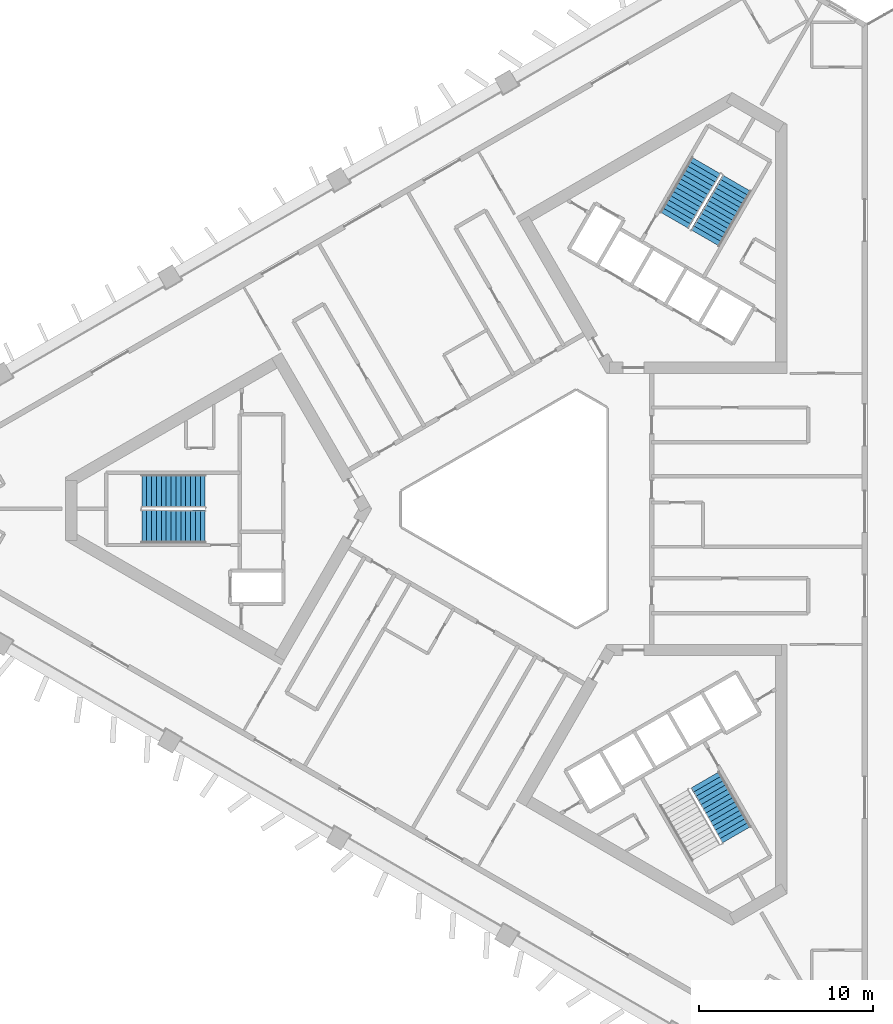
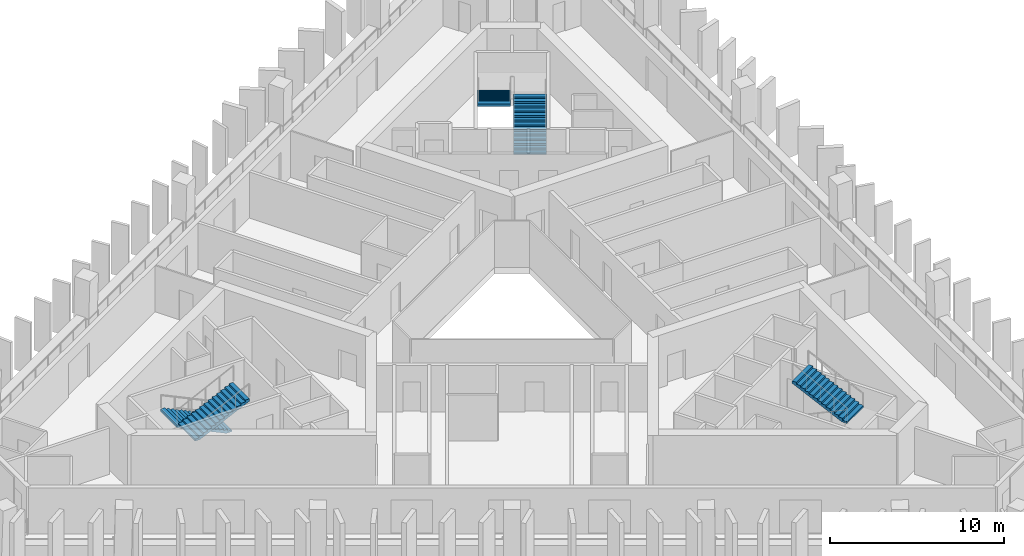
# One storey, part 7 of 10: 5 stair flights, 3 elements without a shape of their own.
"""IFC4 building model written with IfcOpenShell, lengths in metres."""

import ifcopenshell
import ifcopenshell.guid

model = None  # the IFC model being written
_history = None  # IfcOwnerHistory: only IFC2X3 demands one
_inside = {}  # id of a spatial element -> (the spatial element, [elements in it])
_under = {}  # id of a project, library or spatial element -> (it, [spatial elements below it])
_declared = {}  # id of a project -> (the project, [libraries it declares])
_typed = {}  # id of a type object -> (the type object, [elements of that type])
_made_of = {}  # id of a material, layer set ... -> (it, [elements and type objects made of it])


def new_model(schema):
    """Start an empty IFC model of exactly this schema.

    Asked for "IFC4X3", IfcOpenShell would pick the latest addendum, in which some entities
    have other attributes; the version numbers below select the first issue.
    IFC2X3 requires an IfcOwnerHistory on every rooted entity: one is made here for all.
    """
    global model, _history
    if schema == "IFC4X3":
        model = ifcopenshell.file(schema_version=(4, 3, 0, 0))
    else:
        model = ifcopenshell.file(schema=schema)
    _inside.clear()
    _under.clear()
    _declared.clear()
    _typed.clear()
    _made_of.clear()
    _history = None
    if model.schema == "IFC2X3":
        org = make("IfcOrganization", Name="unknown")
        user = make(
            "IfcPersonAndOrganization",
            ThePerson=make("IfcPerson", FamilyName="unknown"),
            TheOrganization=org,
        )
        app = make(
            "IfcApplication",
            ApplicationDeveloper=org,
            Version="unknown",
            ApplicationFullName="unknown",
            ApplicationIdentifier="unknown",
        )
        _history = make(
            "IfcOwnerHistory",
            OwningUser=user,
            OwningApplication=app,
            ChangeAction="ADDED",
            CreationDate=0,
        )
    return model


def make(cls, **values):
    """One entity of the class cls with the attributes given. An attribute that is None is left unset."""
    return model.create_entity(
        cls, **{name: value for name, value in values.items() if value is not None}
    )


def rooted(cls, **values):
    """An entity with a GlobalId (a new one), such as an element, a storey or a relation."""
    return make(cls, GlobalId=ifcopenshell.guid.new(), OwnerHistory=_history, **values)


def si_unit(unit_type, name, prefix=None):
    """IfcSIUnit, for example si_unit("LENGTHUNIT", "METRE", prefix="MILLI")."""
    return make("IfcSIUnit", UnitType=unit_type, Prefix=prefix, Name=name)


def assignment(units):
    """IfcUnitAssignment: the units of a project."""
    return None if units is None else make("IfcUnitAssignment", Units=units)


def point(xyz):
    """IfcCartesianPoint."""
    return None if xyz is None else make("IfcCartesianPoint", Coordinates=xyz)


def direction(xyz):
    """IfcDirection."""
    return None if xyz is None else make("IfcDirection", DirectionRatios=xyz)


def frame(location, z_axis=None, x_axis=None):
    """IfcAxis2Placement3D, a coordinate frame: its origin and axes. An axis left out is left unset."""
    return make(
        "IfcAxis2Placement3D",
        Location=point(location),
        Axis=direction(z_axis),
        RefDirection=direction(x_axis),
    )


def origin():
    """The frame at (0, 0, 0) with its axes left unset."""
    return frame((0.0, 0.0, 0.0))


def place(relative_to, where):
    """IfcLocalPlacement: puts the frame where relative to a parent placement (None: the world)."""
    return make(
        "IfcLocalPlacement", PlacementRelTo=relative_to, RelativePlacement=where
    )


def context(
    kind, dimensions, precision=None, world=None, true_north=None, identifier=None
):
    """IfcGeometricRepresentationContext, for example the 3D "Model" context."""
    return make(
        "IfcGeometricRepresentationContext",
        ContextIdentifier=identifier,
        ContextType=kind,
        CoordinateSpaceDimension=dimensions,
        Precision=precision,
        WorldCoordinateSystem=world,
        TrueNorth=true_north,
    )


def subcontext(parent, identifier, kind, view, scale=None):
    """IfcGeometricRepresentationSubContext, for example "Body" below "Model"."""
    return make(
        "IfcGeometricRepresentationSubContext",
        ContextIdentifier=identifier,
        ContextType=kind,
        ParentContext=parent,
        TargetScale=scale,
        TargetView=view,
    )


def project(units=None, contexts=None):
    """IfcProject with its units and contexts."""
    return rooted(
        "IfcProject",
        Name="project",
        RepresentationContexts=contexts,
        UnitsInContext=assignment(units),
    )


def spatial(cls, under=None, at=None, **own):
    """A site, building, storey or space (cls), placed at a placement, below another one or the project."""
    s = rooted(cls, ObjectPlacement=at, **own)
    if under is not None:
        _under.setdefault(under.id(), (under, []))[1].append(s)
    return s


def polyline(points):
    """IfcPolyline through the points."""
    return make("IfcPolyline", Points=[point(p) for p in points])


def outline(outer, holes=None, kind="AREA"):
    """IfcArbitraryClosedProfileDef: a profile drawn as a closed curve; with holes, ...WithVoids."""
    if holes is None:
        return make("IfcArbitraryClosedProfileDef", ProfileType=kind, OuterCurve=outer)
    return make(
        "IfcArbitraryProfileDefWithVoids",
        ProfileType=kind,
        OuterCurve=outer,
        InnerCurves=holes,
    )


def extrude(swept, where, along, depth):
    """IfcExtrudedAreaSolid: the profile swept, set in the frame where, extruded along a direction by depth."""
    return make(
        "IfcExtrudedAreaSolid",
        SweptArea=swept,
        Position=where,
        ExtrudedDirection=direction(along),
        Depth=depth,
    )


def shape(context_of_items, identifier, shape_type, items):
    """IfcShapeRepresentation: the items that make up one representation, for example the "Body"."""
    return make(
        "IfcShapeRepresentation",
        ContextOfItems=context_of_items,
        RepresentationIdentifier=identifier,
        RepresentationType=shape_type,
        Items=items,
    )


def material(Name=None, Category=None):
    """IfcMaterial."""
    return make("IfcMaterial", Name=Name, Category=Category)


def made_of(thing, what):
    """Note that an element or type object is made of a material, layer set ...; save() writes the relation."""
    if what is not None:
        _made_of.setdefault(what.id(), (what, []))[1].append(thing)
    return thing


def type_object(cls, material=None, **own):
    """A type object (cls), such as IfcWallType, which elements share."""
    return made_of(rooted(cls, **own), material)


def element(
    cls,
    number,
    at=None,
    inside=None,
    cuts=None,
    type_object=None,
    material=None,
    context=None,
    identifier="Body",
    shape_type=None,
    held_by="IfcProductDefinitionShape",
    body=None,
    shapes=None,
    **own,
):
    """One element of the class cls, such as IfcWall. Its Tag is "e" and its number.

    at: its placement. inside: the storey or other place that contains it. cuts: it is an
    opening in that element (IfcRelVoidsElement). A single representation is given by context,
    identifier, shape_type and body (its items); several are given by shapes. held_by: the class
    of the entity that holds the representations. save() writes the other relations.
    """
    e = rooted(cls, Tag="e%d" % number, ObjectPlacement=at, **own)
    if body is not None:
        shapes = [shape(context, identifier, shape_type, body)]
    if shapes is not None:
        e.Representation = make(held_by, Representations=shapes)
    if inside is not None:
        _inside.setdefault(inside.id(), (inside, []))[1].append(e)
    if cuts is not None:
        rooted(
            "IfcRelVoidsElement", RelatingBuildingElement=cuts, RelatedOpeningElement=e
        )
    if type_object is not None:
        _typed.setdefault(type_object.id(), (type_object, []))[1].append(e)
    return made_of(e, material)


def aggregate(whole, parts):
    """IfcRelAggregates: a whole, such as a stair, and the parts it consists of."""
    return rooted("IfcRelAggregates", RelatingObject=whole, RelatedObjects=parts)


def save(model, path):
    """Write the relations noted so far, then the file.

    IfcRelAggregates (storeys below a building ...), IfcRelContainedInSpatialStructure (elements
    in a storey), IfcRelDefinesByType, IfcRelAssociatesMaterial and IfcRelDeclares: one each for
    every whole, place, type object, material and project.
    """
    for whole, parts in _under.values():
        aggregate(whole, parts)
    for where, things in _inside.values():
        rooted(
            "IfcRelContainedInSpatialStructure",
            RelatedElements=things,
            RelatingStructure=where,
        )
    for kind, things in _typed.values():
        rooted("IfcRelDefinesByType", RelatedObjects=things, RelatingType=kind)
    for what, things in _made_of.values():
        rooted("IfcRelAssociatesMaterial", RelatedObjects=things, RelatingMaterial=what)
    for by, libraries in _declared.values():
        rooted("IfcRelDeclares", RelatingContext=by, RelatedDefinitions=libraries)
    model.write(path)


model = new_model("IFC4")

# Units and contexts
model_context = context("Model", 3, precision=1e-05, world=origin(), true_north=direction((0.0, 1.0)))
body_context = subcontext(model_context, "Body", "Model", "MODEL_VIEW")
ifc_project = project(units=[si_unit("LENGTHUNIT", "METRE"), si_unit("AREAUNIT", "SQUARE_METRE"), si_unit("VOLUMEUNIT", "CUBIC_METRE"), si_unit("PLANEANGLEUNIT", "RADIAN"), si_unit("MASSUNIT", "GRAM", prefix="KILO")], contexts=[model_context])

# Site, building, storey
site_placement = place(None, origin())
site = spatial("IfcSite", under=ifc_project, at=site_placement, CompositionType="ELEMENT")
building_placement = place(site_placement, origin())
building = spatial("IfcBuilding", under=site, at=building_placement, Name="Jabali Bay Hotel Tower and Convention Centre", CompositionType="ELEMENT")
storey_placement = place(building_placement, frame((0.0, 0.0, 136.39990234375)))
storey = spatial("IfcBuildingStorey", under=building, at=storey_placement, Name="L33", CompositionType="ELEMENT", Elevation=136.39990234375)

# Stair, stair flights
ifc_material = material(Name="Concrete C40", Category="concrete")
stair_type = type_object("IfcStairType", Name="Exit stair 1900", PredefinedType="HALF_TURN_STAIR", material=ifc_material)
stair_1_placement = place(storey_placement, origin())
stair_1 = element("IfcStair", 1, at=stair_1_placement, inside=storey, type_object=stair_type, Name="L33 Exit Stair 1", PredefinedType="HALF_TURN_STAIR")
stair_flight_type = type_object("IfcStairFlightType", Name="Stair flight concrete 150", PredefinedType="STRAIGHT", material=ifc_material)
stair_flight_1_placement = place(storey_placement, frame((56.419921875, 81.02490234375, 0.0), z_axis=(0.0, 0.0, 1.0), x_axis=(-1.0, 0.0, 0.0)))
stair_flight_1 = element("IfcStairFlight", 2, at=stair_flight_1_placement, type_object=stair_flight_type, Name="ST1 flight 1", NumberOfRisers=14, NumberOfTreads=13, PredefinedType="STRAIGHT", RiserHeight=0.132142857, TreadLength=0.28, context=body_context, shape_type="SweptSolid", body=[
    extrude(outline(polyline([(0.0, 0.0), (0.0, 0.132080078125), (0.280029296875, 0.132080078125), (0.280029296875, 0.264404296875), (0.56005859375, 0.264404296875), (0.56005859375, 0.396484375), (0.840087890625, 0.396484375), (0.840087890625, 0.528564453125), (1.1201171875, 0.528564453125), (1.1201171875, 0.66064453125), (1.39990234375, 0.66064453125), (1.39990234375, 0.79296875), (1.679931640625, 0.79296875), (1.679931640625, 0.925048828125), (1.9599609375, 0.925048828125), (1.9599609375, 1.05712890625), (2.239990234375, 1.05712890625), (2.239990234375, 1.189208984375), (2.52001953125, 1.189208984375), (2.52001953125, 1.321533203125), (2.800048828125, 1.321533203125), (2.800048828125, 1.45361328125), (3.080078125, 1.45361328125), (3.080078125, 1.585693359375), (3.360107421875, 1.585693359375), (3.360107421875, 1.7177734375), (3.639892578125, 1.7177734375), (3.639892578125, 1.85009765625), (3.639892578125, 1.552001953125), (0.351318359375, 0.0), (0.0, 0.0)])), frame((0.0, 0.949951171875, 0.0), z_axis=(0.0, -1.0, 0.0), x_axis=(1.0, 0.0, 0.0)), (0.0, 0.0, 1.0), 1.89990234375),
])
stair_flight_2_placement = place(storey_placement, frame((52.780029296875, 78.97509765625, 1.85009765625), z_axis=(0.0, 0.0, 1.0), x_axis=(1.0, 0.0, 0.0)))
stair_flight_2 = element("IfcStairFlight", 3, at=stair_flight_2_placement, type_object=stair_flight_type, Name="ST1 flight 2", NumberOfRisers=14, NumberOfTreads=13, PredefinedType="STRAIGHT", RiserHeight=0.132142857, TreadLength=0.28, context=body_context, shape_type="SweptSolid", body=[
    extrude(outline(polyline([(0.0, 0.0), (0.0, 0.132080078125), (0.280029296875, 0.132080078125), (0.280029296875, 0.264404296875), (0.56005859375, 0.264404296875), (0.56005859375, 0.396484375), (0.840087890625, 0.396484375), (0.840087890625, 0.528564453125), (1.1201171875, 0.528564453125), (1.1201171875, 0.66064453125), (1.39990234375, 0.66064453125), (1.39990234375, 0.79296875), (1.679931640625, 0.79296875), (1.679931640625, 0.925048828125), (1.9599609375, 0.925048828125), (1.9599609375, 1.05712890625), (2.239990234375, 1.05712890625), (2.239990234375, 1.189208984375), (2.52001953125, 1.189208984375), (2.52001953125, 1.321533203125), (2.800048828125, 1.321533203125), (2.800048828125, 1.45361328125), (3.080078125, 1.45361328125), (3.080078125, 1.585693359375), (3.360107421875, 1.585693359375), (3.360107421875, 1.7177734375), (3.639892578125, 1.7177734375), (3.639892578125, 1.85009765625), (3.639892578125, 1.552001953125), (0.351318359375, 0.0), (0.0, 0.0)])), frame((0.0, 0.949951171875, 0.0), z_axis=(0.0, -1.0, 0.0), x_axis=(1.0, 0.0, 0.0)), (0.0, 0.0, 1.0), 1.89990234375),
])
aggregate(stair_1, [stair_flight_1, stair_flight_2])

stair_2_placement = place(storey_placement, origin())
stair_2 = element("IfcStair", 4, at=stair_2_placement, inside=storey, type_object=stair_type, Name="L33 Exit Stair 2", PredefinedType="HALF_TURN_STAIR")
stair_flight_3_placement = place(storey_placement, frame((85.177734375, 95.578369140625, 0.0), z_axis=(0.0, 0.0, 1.0), x_axis=(0.5, 0.866025403784, 0.0)))
stair_flight_3 = element("IfcStairFlight", 5, at=stair_flight_3_placement, type_object=stair_flight_type, Name="ST2 flight 1", NumberOfRisers=14, NumberOfTreads=13, PredefinedType="STRAIGHT", RiserHeight=0.132142857, TreadLength=0.28, context=body_context, shape_type="SweptSolid", body=[
    extrude(outline(polyline([(0.0, 0.0), (0.0, 0.132080078125), (0.280029296875, 0.132080078125), (0.280029296875, 0.264404296875), (0.56005859375, 0.264404296875), (0.56005859375, 0.396484375), (0.840087890625, 0.396484375), (0.840087890625, 0.528564453125), (1.1201171875, 0.528564453125), (1.1201171875, 0.66064453125), (1.39990234375, 0.66064453125), (1.39990234375, 0.79296875), (1.679931640625, 0.79296875), (1.679931640625, 0.925048828125), (1.9599609375, 0.925048828125), (1.9599609375, 1.05712890625), (2.239990234375, 1.05712890625), (2.239990234375, 1.189208984375), (2.52001953125, 1.189208984375), (2.52001953125, 1.321533203125), (2.800048828125, 1.321533203125), (2.800048828125, 1.45361328125), (3.080078125, 1.45361328125), (3.080078125, 1.585693359375), (3.360107421875, 1.585693359375), (3.360107421875, 1.7177734375), (3.639892578125, 1.7177734375), (3.639892578125, 1.85009765625), (3.639892578125, 1.552001953125), (0.351318359375, 0.0), (0.0, 0.0)])), frame((0.0, 0.949951171875, 0.0), z_axis=(0.0, -1.0, 0.0), x_axis=(1.0, 0.0, 0.0)), (0.0, 0.0, 1.0), 1.89990234375),
])
stair_flight_4_placement = place(storey_placement, frame((85.222412109375, 99.755615234375, 1.85009765625), z_axis=(0.0, 0.0, 1.0), x_axis=(-0.5, -0.866025403784, 0.0)))
stair_flight_4 = element("IfcStairFlight", 6, at=stair_flight_4_placement, type_object=stair_flight_type, Name="ST2 flight 2", NumberOfRisers=14, NumberOfTreads=13, PredefinedType="STRAIGHT", RiserHeight=0.132142857, TreadLength=0.28, context=body_context, shape_type="SweptSolid", body=[
    extrude(outline(polyline([(0.0, 0.0), (0.0, 0.132080078125), (0.280029296875, 0.132080078125), (0.280029296875, 0.264404296875), (0.56005859375, 0.264404296875), (0.56005859375, 0.396484375), (0.840087890625, 0.396484375), (0.840087890625, 0.528564453125), (1.1201171875, 0.528564453125), (1.1201171875, 0.66064453125), (1.39990234375, 0.66064453125), (1.39990234375, 0.79296875), (1.679931640625, 0.79296875), (1.679931640625, 0.925048828125), (1.9599609375, 0.925048828125), (1.9599609375, 1.05712890625), (2.239990234375, 1.05712890625), (2.239990234375, 1.189208984375), (2.52001953125, 1.189208984375), (2.52001953125, 1.321533203125), (2.800048828125, 1.321533203125), (2.800048828125, 1.45361328125), (3.080078125, 1.45361328125), (3.080078125, 1.585693359375), (3.360107421875, 1.585693359375), (3.360107421875, 1.7177734375), (3.639892578125, 1.7177734375), (3.639892578125, 1.85009765625), (3.639892578125, 1.552001953125), (0.351318359375, 0.0), (0.0, 0.0)])), frame((0.0, 0.949951171875, 0.0), z_axis=(0.0, -1.0, 0.0), x_axis=(1.0, 0.0, 0.0)), (0.0, 0.0, 1.0), 1.89990234375),
])
aggregate(stair_2, [stair_flight_3, stair_flight_4])

# Stair, stair flight
stair_3_placement = place(storey_placement, origin())
stair_3 = element("IfcStair", 7, at=stair_3_placement, inside=storey, type_object=stair_type, Name="L33 Exit Stair 3", PredefinedType="HALF_TURN_STAIR")
stair_flight_5_placement = place(storey_placement, frame((86.99755859375, 61.26953125, 1.85009765625), z_axis=(0.0, 0.0, 1.0), x_axis=(-0.5, 0.866025403784, 0.0)))
stair_flight_5 = element("IfcStairFlight", 8, at=stair_flight_5_placement, type_object=stair_flight_type, Name="ST3 flight 2", NumberOfRisers=14, NumberOfTreads=13, PredefinedType="STRAIGHT", RiserHeight=0.132142857, TreadLength=0.28, context=body_context, shape_type="SweptSolid", body=[
    extrude(outline(polyline([(0.0, 0.0), (0.0, 0.132080078125), (0.280029296875, 0.132080078125), (0.280029296875, 0.264404296875), (0.56005859375, 0.264404296875), (0.56005859375, 0.396484375), (0.840087890625, 0.396484375), (0.840087890625, 0.528564453125), (1.1201171875, 0.528564453125), (1.1201171875, 0.66064453125), (1.39990234375, 0.66064453125), (1.39990234375, 0.79296875), (1.679931640625, 0.79296875), (1.679931640625, 0.925048828125), (1.9599609375, 0.925048828125), (1.9599609375, 1.05712890625), (2.239990234375, 1.05712890625), (2.239990234375, 1.189208984375), (2.52001953125, 1.189208984375), (2.52001953125, 1.321533203125), (2.800048828125, 1.321533203125), (2.800048828125, 1.45361328125), (3.080078125, 1.45361328125), (3.080078125, 1.585693359375), (3.360107421875, 1.585693359375), (3.360107421875, 1.7177734375), (3.639892578125, 1.7177734375), (3.639892578125, 1.85009765625), (3.639892578125, 1.552001953125), (0.351318359375, 0.0), (0.0, 0.0)])), frame((0.0, 0.949951171875, 0.0), z_axis=(0.0, -1.0, 0.0), x_axis=(1.0, 0.0, 0.0)), (0.0, 0.0, 1.0), 1.89990234375),
])
aggregate(stair_3, [stair_flight_5])

save(model, "model.ifc")
